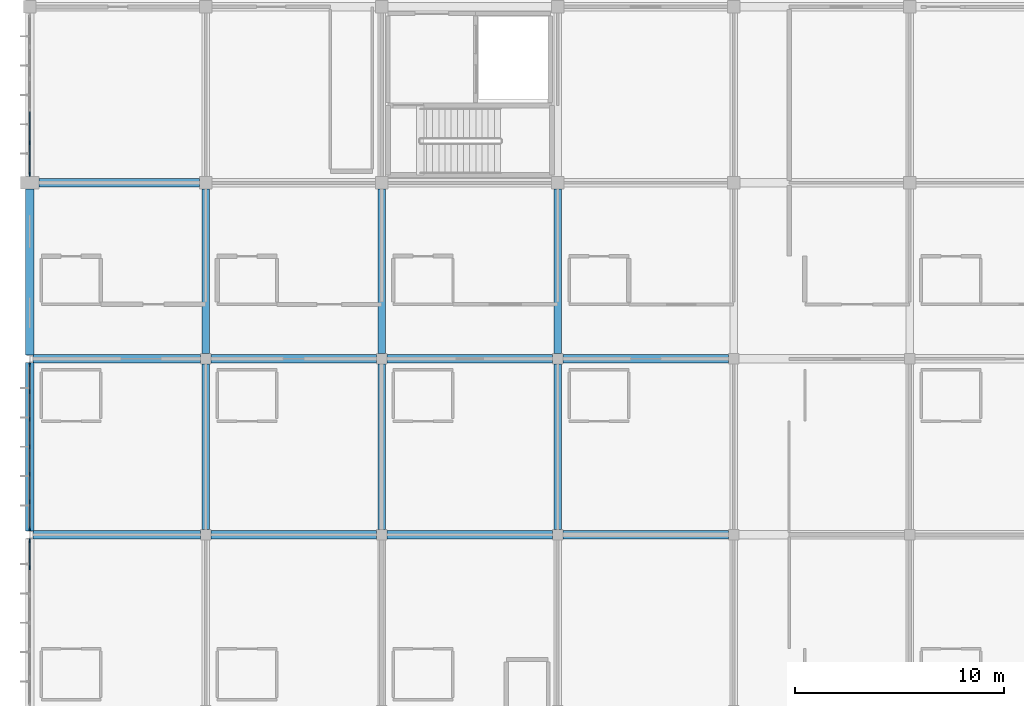
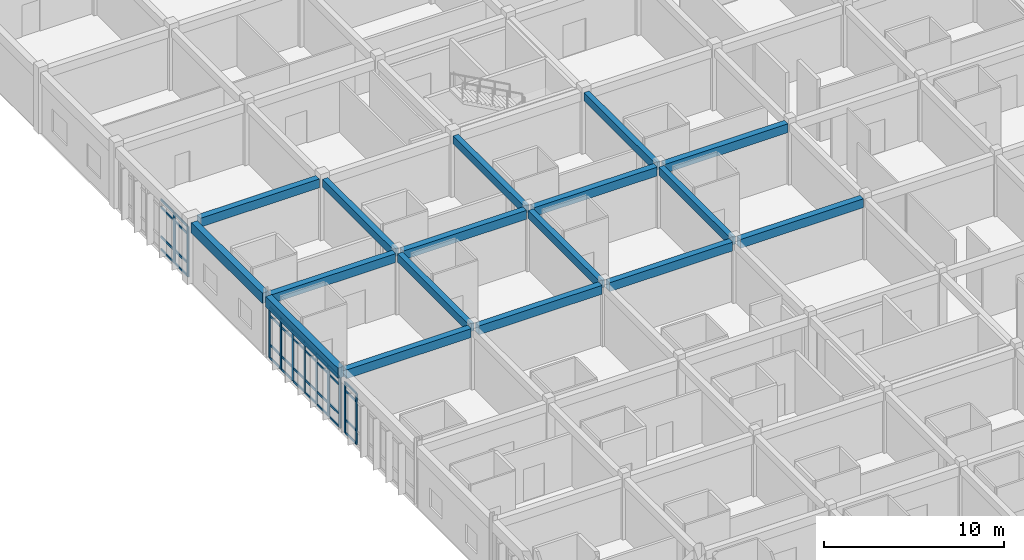
# One storey, part 18 of 144: 47 members, 17 beams, 3 elements without a shape of their own.
"""IFC4 building model written with IfcOpenShell, lengths in metres."""

from ifc_helpers import new_model, si_unit, direction, frame, origin, origin_2d, place, context, subcontext, project, spatial, rectangle, extrude, material, layer, layer_set, material_profile, profile_set, type_object, element, aggregate, save


model = new_model("IFC4")

# Units and contexts
model_context = context("Model", 3, precision=1e-05, world=origin(), true_north=direction((0.0, 1.0)))
body_context = subcontext(model_context, "Body", "Model", "MODEL_VIEW")
ifc_project = project(units=[si_unit("LENGTHUNIT", "METRE"), si_unit("AREAUNIT", "SQUARE_METRE"), si_unit("VOLUMEUNIT", "CUBIC_METRE"), si_unit("PLANEANGLEUNIT", "RADIAN"), si_unit("MASSUNIT", "GRAM", prefix="KILO")], contexts=[model_context])

# Site, building, storey
site_placement = place(None, origin())
site = spatial("IfcSite", under=ifc_project, at=site_placement, CompositionType="ELEMENT")
building_placement = place(site_placement, origin())
building = spatial("IfcBuilding", under=site, at=building_placement, Name="Bramfleet General Hospital", CompositionType="ELEMENT")
storey_placement = place(building_placement, frame((0.0, 0.0, 4.800048828125)))
storey = spatial("IfcBuildingStorey", under=building, at=storey_placement, Name="L01", CompositionType="ELEMENT", Elevation=4.800048828125)

# Beams
ifc_material_1 = material(Name="Concrete C35/45", Category="concrete")
ifc_material_profile_1 = material_profile(ifc_material_1, rectangle(XDim=0.35009765625, YDim=0.550048828125, at=origin_2d()), Name="RC BM 550x350")
ifc_profile_set_1 = profile_set([ifc_material_profile_1], Name="Concrete C35/45")
beam_type_1 = type_object("IfcBeamType", Name="BM-RC550", PredefinedType="BEAM", material=ifc_profile_set_1)
beam_1_placement = place(storey_placement, frame((8.39990234375, 33.85009765625, 3.875), z_axis=(0.0, 1.0, 0.0), x_axis=(-1.0, 0.0, 0.0)))
element("IfcBeam", 1, at=beam_1_placement, inside=storey, type_object=beam_type_1, Name="L01 Grid Beam Y 01-04", PredefinedType="BEAM", context=body_context, shape_type="SweptSolid", body=[
    extrude(rectangle(XDim=0.35009765625, YDim=0.550048828125, at=origin_2d()), origin(), (0.0, 0.0, 1.0), 7.89990234375),
])
beam_2_placement = place(storey_placement, frame((8.39990234375, 42.25, 3.875), z_axis=(0.0, 1.0, 0.0), x_axis=(-1.0, 0.0, 0.0)))
element("IfcBeam", 2, at=beam_2_placement, inside=storey, type_object=beam_type_1, Name="L01 Grid Beam Y 01-05", PredefinedType="BEAM", context=body_context, shape_type="SweptSolid", body=[
    extrude(rectangle(XDim=0.35009765625, YDim=0.550048828125, at=origin_2d()), origin(), (0.0, 0.0, 1.0), 7.85009765625),
])
beam_3_placement = place(storey_placement, frame((16.800048828125, 33.85009765625, 3.875), z_axis=(0.0, 1.0, 0.0), x_axis=(-1.0, 0.0, 0.0)))
element("IfcBeam", 3, at=beam_3_placement, inside=storey, type_object=beam_type_1, Name="L01 Grid Beam Y 02-04", PredefinedType="BEAM", context=body_context, shape_type="SweptSolid", body=[
    extrude(rectangle(XDim=0.35009765625, YDim=0.550048828125, at=origin_2d()), origin(), (0.0, 0.0, 1.0), 7.89990234375),
])
beam_4_placement = place(storey_placement, frame((16.800048828125, 42.25, 3.875), z_axis=(0.0, 1.0, 0.0), x_axis=(-1.0, 0.0, 0.0)))
element("IfcBeam", 4, at=beam_4_placement, inside=storey, type_object=beam_type_1, Name="L01 Grid Beam Y 02-05", PredefinedType="BEAM", context=body_context, shape_type="SweptSolid", body=[
    extrude(rectangle(XDim=0.35009765625, YDim=0.550048828125, at=origin_2d()), origin(), (0.0, 0.0, 1.0), 7.85009765625),
])
beam_5_placement = place(storey_placement, frame((25.199951171875, 33.85009765625, 3.875), z_axis=(0.0, 1.0, 0.0), x_axis=(-1.0, 0.0, 0.0)))
element("IfcBeam", 5, at=beam_5_placement, inside=storey, type_object=beam_type_1, Name="L01 Grid Beam Y 03-04", PredefinedType="BEAM", context=body_context, shape_type="SweptSolid", body=[
    extrude(rectangle(XDim=0.35009765625, YDim=0.550048828125, at=origin_2d()), origin(), (0.0, 0.0, 1.0), 7.89990234375),
])
beam_6_placement = place(storey_placement, frame((25.199951171875, 42.25, 3.875), z_axis=(0.0, 1.0, 0.0), x_axis=(-1.0, 0.0, 0.0)))
element("IfcBeam", 6, at=beam_6_placement, inside=storey, type_object=beam_type_1, Name="L01 Grid Beam Y 03-05", PredefinedType="BEAM", context=body_context, shape_type="SweptSolid", body=[
    extrude(rectangle(XDim=0.35009765625, YDim=0.550048828125, at=origin_2d()), origin(), (0.0, 0.0, 1.0), 7.85009765625),
])
ifc_material_profile_2 = material_profile(ifc_material_1, rectangle(XDim=0.39990234375, YDim=0.60009765625, at=origin_2d()), Name="RC BM 600x400")
ifc_profile_set_2 = profile_set([ifc_material_profile_2], Name="Concrete C35/45")
beam_type_2 = type_object("IfcBeamType", Name="BM-RC600", PredefinedType="BEAM", material=ifc_profile_set_2)
for number, where, z_axis, x_axis, name in (
    (7, (0.14990234375, 33.60009765625, 3.849853515625), (1.0, 0.0, 0.0), (0.0, 1.0, 0.0), "L01 Grid Beam X 00-04"),
    (8, (0.14990234375, 42.0, 3.849853515625), (1.0, 0.0, 0.0), (0.0, 1.0, 0.0), "L01 Grid Beam X 00-05"),
):
    element("IfcBeam", number, at=place(storey_placement, frame(where, z_axis=z_axis, x_axis=x_axis)), inside=storey, type_object=beam_type_2, Name=name, PredefinedType="BEAM", context=body_context, shape_type="SweptSolid", body=[
        extrude(rectangle(XDim=0.39990234375, YDim=0.60009765625, at=origin_2d()), origin(), (0.0, 0.0, 1.0), 8.0),
    ])
beam_7_placement = place(storey_placement, frame((0.449951171875, 50.39990234375, 3.849853515625), z_axis=(1.0, 0.0, 0.0), x_axis=(0.0, 1.0, 0.0)))
element("IfcBeam", 9, at=beam_7_placement, inside=storey, type_object=beam_type_2, Name="L01 Grid Beam X 00-06", PredefinedType="BEAM", context=body_context, shape_type="SweptSolid", body=[
    extrude(rectangle(XDim=0.39990234375, YDim=0.60009765625, at=origin_2d()), origin(), (0.0, 0.0, 1.0), 7.650146484375),
])
for number, where, z_axis, x_axis, name in (
    (10, (8.64990234375, 33.60009765625, 3.849853515625), (1.0, 0.0, 0.0), (0.0, 1.0, 0.0), "L01 Grid Beam X 01-04"),
    (11, (8.64990234375, 42.0, 3.849853515625), (1.0, 0.0, 0.0), (0.0, 1.0, 0.0), "L01 Grid Beam X 01-05"),
):
    element("IfcBeam", number, at=place(storey_placement, frame(where, z_axis=z_axis, x_axis=x_axis)), inside=storey, type_object=beam_type_2, Name=name, PredefinedType="BEAM", context=body_context, shape_type="SweptSolid", body=[
        extrude(rectangle(XDim=0.39990234375, YDim=0.60009765625, at=origin_2d()), origin(), (0.0, 0.0, 1.0), 7.900146484375),
    ])
for number, where, z_axis, x_axis, name in (
    (12, (17.050048828125, 33.60009765625, 3.849853515625), (1.0, 0.0, 0.0), (0.0, 1.0, 0.0), "L01 Grid Beam X 02-04"),
    (13, (17.050048828125, 42.0, 3.849853515625), (1.0, 0.0, 0.0), (0.0, 1.0, 0.0), "L01 Grid Beam X 02-05"),
):
    element("IfcBeam", number, at=place(storey_placement, frame(where, z_axis=z_axis, x_axis=x_axis)), inside=storey, type_object=beam_type_2, Name=name, PredefinedType="BEAM", context=body_context, shape_type="SweptSolid", body=[
        extrude(rectangle(XDim=0.39990234375, YDim=0.60009765625, at=origin_2d()), origin(), (0.0, 0.0, 1.0), 7.89990234375),
    ])
for number, where, z_axis, x_axis, name in (
    (14, (25.449951171875, 33.60009765625, 3.849853515625), (1.0, 0.0, 0.0), (0.0, 1.0, 0.0), "L01 Grid Beam X 03-04"),
    (15, (25.449951171875, 42.0, 3.849853515625), (1.0, 0.0, 0.0), (0.0, 1.0, 0.0), "L01 Grid Beam X 03-05"),
):
    element("IfcBeam", number, at=place(storey_placement, frame(where, z_axis=z_axis, x_axis=x_axis)), inside=storey, type_object=beam_type_2, Name=name, PredefinedType="BEAM", context=body_context, shape_type="SweptSolid", body=[
        extrude(rectangle(XDim=0.39990234375, YDim=0.60009765625, at=origin_2d()), origin(), (0.0, 0.0, 1.0), 7.900146484375),
    ])
ifc_material_profile_3 = material_profile(ifc_material_1, rectangle(XDim=0.39990234375, YDim=0.699951171875, at=origin_2d()), Name="RC SP 700x400")
ifc_profile_set_3 = profile_set([ifc_material_profile_3], Name="Concrete C35/45")
beam_type_3 = type_object("IfcBeamType", Name="BM-SP700", PredefinedType="SPANDREL", material=ifc_profile_set_3)
beam_8_placement = place(storey_placement, frame((0.0, 33.780029296875, 3.800048828125), z_axis=(0.0, 1.0, 0.0), x_axis=(-1.0, 0.0, 0.0)))
element("IfcBeam", 16, at=beam_8_placement, inside=storey, type_object=beam_type_3, Name="L01 Grid Beam Y 00-04", PredefinedType="SPANDREL", context=body_context, shape_type="SweptSolid", body=[
    extrude(rectangle(XDim=0.39990234375, YDim=0.699951171875, at=origin_2d()), origin(), (0.0, 0.0, 1.0), 8.0400390625),
])
beam_9_placement = place(storey_placement, frame((0.0, 42.179931640625, 3.800048828125), z_axis=(0.0, 1.0, 0.0), x_axis=(-1.0, 0.0, 0.0)))
element("IfcBeam", 17, at=beam_9_placement, inside=storey, type_object=beam_type_3, Name="L01 Grid Beam Y 00-05", PredefinedType="SPANDREL", context=body_context, shape_type="SweptSolid", body=[
    extrude(rectangle(XDim=0.39990234375, YDim=0.699951171875, at=origin_2d()), origin(), (0.0, 0.0, 1.0), 7.920166015625),
])

# Curtain wall, members
ifc_material_2 = material(Name="Anodised aluminium and low-E triple glazing", Category="aluminium")
ifc_layer_1 = layer(ifc_material_2, 0.179931640625, Name="CWT-CW-01")
ifc_layer_set_1 = layer_set([ifc_layer_1], Name="Anodised aluminium and low-E triple glazing")
curtain_wall_type_1 = type_object("IfcCurtainWallType", Name="CWT-CW-01", PredefinedType="USERDEFINED", material=ifc_layer_set_1)
curtain_wall_1_placement = place(storey_placement, origin())
curtain_wall_1 = element("IfcCurtainWall", 18, at=curtain_wall_1_placement, inside=storey, type_object=curtain_wall_type_1, Name="L01 Curtain Wall 91", ObjectType="Unitised curtain wall", PredefinedType="USERDEFINED")
ifc_material_3 = material(Name="Structural timber GL28h", Category="wood")
ifc_material_profile_4 = material_profile(ifc_material_3, rectangle(XDim=0.070068359375, YDim=0.18994140625, at=origin_2d()), Name="LARCH 190x70")
ifc_profile_set_4 = profile_set([ifc_material_profile_4], Name="Structural timber GL28h")
member_type_1 = type_object("IfcMemberType", Name="CWM-LARCH450", PredefinedType="MULLION", material=ifc_profile_set_4)
member_1_placement = place(storey_placement, frame((0.0, 32.030029296875, 0.0), z_axis=(0.0, 0.0, 1.0), x_axis=(-1.0, 0.0, 0.0)))
member_1 = element("IfcMember", 19, at=member_1_placement, type_object=member_type_1, Name="CW-01 mullion 6", PredefinedType="MULLION", context=body_context, shape_type="SweptSolid", body=[
    extrude(rectangle(XDim=0.070068359375, YDim=0.18994140625, at=origin_2d()), origin(), (0.0, 0.0, 1.0), 3.43994140625),
])
member_2_placement = place(storey_placement, frame((0.0, 33.31005859375, 0.0), z_axis=(0.0, 0.0, 1.0), x_axis=(-1.0, 0.0, 0.0)))
member_2 = element("IfcMember", 20, at=member_2_placement, type_object=member_type_1, Name="CW-01 mullion 7", PredefinedType="MULLION", context=body_context, shape_type="SweptSolid", body=[
    extrude(rectangle(XDim=0.070068359375, YDim=0.18994140625, at=origin_2d()), origin(), (0.0, 0.0, 1.0), 3.43994140625),
])

ifc_layer_2 = layer(ifc_material_2, 0.179931640625, Name="CWT-CW-02")
ifc_layer_set_2 = layer_set([ifc_layer_2], Name="Anodised aluminium and low-E triple glazing")
curtain_wall_type_2 = type_object("IfcCurtainWallType", Name="CWT-CW-02", PredefinedType="USERDEFINED", material=ifc_layer_set_2)
curtain_wall_2_placement = place(storey_placement, origin())
curtain_wall_2 = element("IfcCurtainWall", 21, at=curtain_wall_2_placement, inside=storey, type_object=curtain_wall_type_2, Name="L01 Curtain Wall 92", ObjectType="Unitised curtain wall", PredefinedType="USERDEFINED")
member_3_placement = place(storey_placement, frame((0.0, 33.889892578125, 0.0), z_axis=(0.0, 0.0, 1.0), x_axis=(-1.0, 0.0, 0.0)))
member_3 = element("IfcMember", 22, at=member_3_placement, type_object=member_type_1, Name="CW-02 mullion 1", PredefinedType="MULLION", context=body_context, shape_type="SweptSolid", body=[
    extrude(rectangle(XDim=0.070068359375, YDim=0.18994140625, at=origin_2d()), origin(), (0.0, 0.0, 1.0), 3.43994140625),
])
member_4_placement = place(storey_placement, frame((0.0, 35.169921875, 0.0), z_axis=(0.0, 0.0, 1.0), x_axis=(-1.0, 0.0, 0.0)))
member_4 = element("IfcMember", 23, at=member_4_placement, type_object=member_type_1, Name="CW-02 mullion 2", PredefinedType="MULLION", context=body_context, shape_type="SweptSolid", body=[
    extrude(rectangle(XDim=0.070068359375, YDim=0.18994140625, at=origin_2d()), origin(), (0.0, 0.0, 1.0), 3.43994140625),
])
member_5_placement = place(storey_placement, frame((0.0, 36.485107421875, 0.0), z_axis=(0.0, 0.0, 1.0), x_axis=(-1.0, 0.0, 0.0)))
member_5 = element("IfcMember", 24, at=member_5_placement, type_object=member_type_1, Name="CW-02 mullion 3", PredefinedType="MULLION", context=body_context, shape_type="SweptSolid", body=[
    extrude(rectangle(XDim=0.070068359375, YDim=0.18994140625, at=origin_2d()), origin(), (0.0, 0.0, 1.0), 3.43994140625),
])
member_6_placement = place(storey_placement, frame((0.0, 37.800048828125, 0.0), z_axis=(0.0, 0.0, 1.0), x_axis=(-1.0, 0.0, 0.0)))
member_6 = element("IfcMember", 25, at=member_6_placement, type_object=member_type_1, Name="CW-02 mullion 4", PredefinedType="MULLION", context=body_context, shape_type="SweptSolid", body=[
    extrude(rectangle(XDim=0.070068359375, YDim=0.18994140625, at=origin_2d()), origin(), (0.0, 0.0, 1.0), 3.43994140625),
])
member_7_placement = place(storey_placement, frame((0.0, 39.114990234375, 0.0), z_axis=(0.0, 0.0, 1.0), x_axis=(-1.0, 0.0, 0.0)))
member_7 = element("IfcMember", 26, at=member_7_placement, type_object=member_type_1, Name="CW-02 mullion 5", PredefinedType="MULLION", context=body_context, shape_type="SweptSolid", body=[
    extrude(rectangle(XDim=0.070068359375, YDim=0.18994140625, at=origin_2d()), origin(), (0.0, 0.0, 1.0), 3.43994140625),
])
member_8_placement = place(storey_placement, frame((0.0, 40.429931640625, 0.0), z_axis=(0.0, 0.0, 1.0), x_axis=(-1.0, 0.0, 0.0)))
member_8 = element("IfcMember", 27, at=member_8_placement, type_object=member_type_1, Name="CW-02 mullion 6", PredefinedType="MULLION", context=body_context, shape_type="SweptSolid", body=[
    extrude(rectangle(XDim=0.070068359375, YDim=0.18994140625, at=origin_2d()), origin(), (0.0, 0.0, 1.0), 3.43994140625),
])
member_9_placement = place(storey_placement, frame((0.0, 41.7099609375, 0.0), z_axis=(0.0, 0.0, 1.0), x_axis=(-1.0, 0.0, 0.0)))
member_9 = element("IfcMember", 28, at=member_9_placement, type_object=member_type_1, Name="CW-02 mullion 7", PredefinedType="MULLION", context=body_context, shape_type="SweptSolid", body=[
    extrude(rectangle(XDim=0.070068359375, YDim=0.18994140625, at=origin_2d()), origin(), (0.0, 0.0, 1.0), 3.43994140625),
])

ifc_layer_3 = layer(ifc_material_2, 0.179931640625, Name="CWT-CW-03")
ifc_layer_set_3 = layer_set([ifc_layer_3], Name="Anodised aluminium and low-E triple glazing")
curtain_wall_type_3 = type_object("IfcCurtainWallType", Name="CWT-CW-03", PredefinedType="USERDEFINED", material=ifc_layer_set_3)
curtain_wall_3_placement = place(storey_placement, origin())
curtain_wall_3 = element("IfcCurtainWall", 29, at=curtain_wall_3_placement, inside=storey, type_object=curtain_wall_type_3, Name="L01 Curtain Wall 93", ObjectType="Unitised curtain wall", PredefinedType="USERDEFINED")
member_10_placement = place(storey_placement, frame((0.0, 50.81005859375, 0.0), z_axis=(0.0, 0.0, 1.0), x_axis=(-1.0, 0.0, 0.0)))
member_10 = element("IfcMember", 30, at=member_10_placement, type_object=member_type_1, Name="CW-03 mullion 1", PredefinedType="MULLION", context=body_context, shape_type="SweptSolid", body=[
    extrude(rectangle(XDim=0.070068359375, YDim=0.18994140625, at=origin_2d()), origin(), (0.0, 0.0, 1.0), 3.43994140625),
])
member_11_placement = place(storey_placement, frame((0.0, 52.304931640625, 0.0), z_axis=(0.0, 0.0, 1.0), x_axis=(-1.0, 0.0, 0.0)))
member_11 = element("IfcMember", 31, at=member_11_placement, type_object=member_type_1, Name="CW-03 mullion 2", PredefinedType="MULLION", context=body_context, shape_type="SweptSolid", body=[
    extrude(rectangle(XDim=0.070068359375, YDim=0.18994140625, at=origin_2d()), origin(), (0.0, 0.0, 1.0), 3.43994140625),
])

# Member
ifc_material_profile_5 = material_profile(ifc_material_3, rectangle(XDim=0.06494140625, YDim=0.14990234375, at=origin_2d()), Name="LARCH 150x65")
ifc_profile_set_5 = profile_set([ifc_material_profile_5], Name="Structural timber GL28h")
member_type_2 = type_object("IfcMemberType", Name="CWT-LARCH220", PredefinedType="USERDEFINED", material=ifc_profile_set_5)
member_12_placement = place(storey_placement, frame((0.0, 32.06494140625, 0.032470703125), z_axis=(0.0, 1.0, 0.0), x_axis=(-1.0, 0.0, 0.0)))
member_12 = element("IfcMember", 32, at=member_12_placement, type_object=member_type_2, Name="CW-01 transom 6.1", ObjectType="TRANSOM", PredefinedType="USERDEFINED", context=body_context, shape_type="SweptSolid", body=[
    extrude(rectangle(XDim=0.06494140625, YDim=0.14990234375, at=origin_2d()), origin(), (0.0, 0.0, 1.0), 1.2099609375),
])

member_13_placement = place(storey_placement, frame((0.0, 32.06494140625, 0.89990234375), z_axis=(0.0, 1.0, 0.0), x_axis=(-1.0, 0.0, 0.0)))
member_13 = element("IfcMember", 33, at=member_13_placement, type_object=member_type_2, Name="CW-01 transom 6.2", ObjectType="TRANSOM", PredefinedType="USERDEFINED", context=body_context, shape_type="SweptSolid", body=[
    extrude(rectangle(XDim=0.06494140625, YDim=0.14990234375, at=origin_2d()), origin(), (0.0, 0.0, 1.0), 1.2099609375),
])

member_14_placement = place(storey_placement, frame((0.0, 32.06494140625, 2.889892578125), z_axis=(0.0, 1.0, 0.0), x_axis=(-1.0, 0.0, 0.0)))
member_14 = element("IfcMember", 34, at=member_14_placement, type_object=member_type_2, Name="CW-01 transom 6.3", ObjectType="TRANSOM", PredefinedType="USERDEFINED", context=body_context, shape_type="SweptSolid", body=[
    extrude(rectangle(XDim=0.06494140625, YDim=0.14990234375, at=origin_2d()), origin(), (0.0, 0.0, 1.0), 1.2099609375),
])

member_15_placement = place(storey_placement, frame((0.0, 32.06494140625, 3.407470703125), z_axis=(0.0, 1.0, 0.0), x_axis=(-1.0, 0.0, 0.0)))
member_15 = element("IfcMember", 35, at=member_15_placement, type_object=member_type_2, Name="CW-01 transom 6.4", ObjectType="TRANSOM", PredefinedType="USERDEFINED", context=body_context, shape_type="SweptSolid", body=[
    extrude(rectangle(XDim=0.06494140625, YDim=0.14990234375, at=origin_2d()), origin(), (0.0, 0.0, 1.0), 1.2099609375),
])

aggregate(curtain_wall_1, [member_1, member_2, member_12, member_13, member_14, member_15])

member_16_placement = place(storey_placement, frame((0.0, 33.925048828125, 0.032470703125), z_axis=(0.0, 1.0, 0.0), x_axis=(-1.0, 0.0, 0.0)))
member_16 = element("IfcMember", 36, at=member_16_placement, type_object=member_type_2, Name="CW-02 transom 1.1", ObjectType="TRANSOM", PredefinedType="USERDEFINED", context=body_context, shape_type="SweptSolid", body=[
    extrude(rectangle(XDim=0.06494140625, YDim=0.14990234375, at=origin_2d()), origin(), (0.0, 0.0, 1.0), 1.2099609375),
])

member_17_placement = place(storey_placement, frame((0.0, 33.925048828125, 0.89990234375), z_axis=(0.0, 1.0, 0.0), x_axis=(-1.0, 0.0, 0.0)))
member_17 = element("IfcMember", 37, at=member_17_placement, type_object=member_type_2, Name="CW-02 transom 1.2", ObjectType="TRANSOM", PredefinedType="USERDEFINED", context=body_context, shape_type="SweptSolid", body=[
    extrude(rectangle(XDim=0.06494140625, YDim=0.14990234375, at=origin_2d()), origin(), (0.0, 0.0, 1.0), 1.2099609375),
])

member_18_placement = place(storey_placement, frame((0.0, 33.925048828125, 2.889892578125), z_axis=(0.0, 1.0, 0.0), x_axis=(-1.0, 0.0, 0.0)))
member_18 = element("IfcMember", 38, at=member_18_placement, type_object=member_type_2, Name="CW-02 transom 1.3", ObjectType="TRANSOM", PredefinedType="USERDEFINED", context=body_context, shape_type="SweptSolid", body=[
    extrude(rectangle(XDim=0.06494140625, YDim=0.14990234375, at=origin_2d()), origin(), (0.0, 0.0, 1.0), 1.2099609375),
])

member_19_placement = place(storey_placement, frame((0.0, 33.925048828125, 3.407470703125), z_axis=(0.0, 1.0, 0.0), x_axis=(-1.0, 0.0, 0.0)))
member_19 = element("IfcMember", 39, at=member_19_placement, type_object=member_type_2, Name="CW-02 transom 1.4", ObjectType="TRANSOM", PredefinedType="USERDEFINED", context=body_context, shape_type="SweptSolid", body=[
    extrude(rectangle(XDim=0.06494140625, YDim=0.14990234375, at=origin_2d()), origin(), (0.0, 0.0, 1.0), 1.2099609375),
])

member_20_placement = place(storey_placement, frame((0.0, 35.205078125, 0.032470703125), z_axis=(0.0, 1.0, 0.0), x_axis=(-1.0, 0.0, 0.0)))
member_20 = element("IfcMember", 40, at=member_20_placement, type_object=member_type_2, Name="CW-02 transom 2.1", ObjectType="TRANSOM", PredefinedType="USERDEFINED", context=body_context, shape_type="SweptSolid", body=[
    extrude(rectangle(XDim=0.06494140625, YDim=0.14990234375, at=origin_2d()), origin(), (0.0, 0.0, 1.0), 1.244873046875),
])

member_21_placement = place(storey_placement, frame((0.0, 35.205078125, 0.89990234375), z_axis=(0.0, 1.0, 0.0), x_axis=(-1.0, 0.0, 0.0)))
member_21 = element("IfcMember", 41, at=member_21_placement, type_object=member_type_2, Name="CW-02 transom 2.2", ObjectType="TRANSOM", PredefinedType="USERDEFINED", context=body_context, shape_type="SweptSolid", body=[
    extrude(rectangle(XDim=0.06494140625, YDim=0.14990234375, at=origin_2d()), origin(), (0.0, 0.0, 1.0), 1.244873046875),
])

member_22_placement = place(storey_placement, frame((0.0, 35.205078125, 2.889892578125), z_axis=(0.0, 1.0, 0.0), x_axis=(-1.0, 0.0, 0.0)))
member_22 = element("IfcMember", 42, at=member_22_placement, type_object=member_type_2, Name="CW-02 transom 2.3", ObjectType="TRANSOM", PredefinedType="USERDEFINED", context=body_context, shape_type="SweptSolid", body=[
    extrude(rectangle(XDim=0.06494140625, YDim=0.14990234375, at=origin_2d()), origin(), (0.0, 0.0, 1.0), 1.244873046875),
])

member_23_placement = place(storey_placement, frame((0.0, 35.205078125, 3.407470703125), z_axis=(0.0, 1.0, 0.0), x_axis=(-1.0, 0.0, 0.0)))
member_23 = element("IfcMember", 43, at=member_23_placement, type_object=member_type_2, Name="CW-02 transom 2.4", ObjectType="TRANSOM", PredefinedType="USERDEFINED", context=body_context, shape_type="SweptSolid", body=[
    extrude(rectangle(XDim=0.06494140625, YDim=0.14990234375, at=origin_2d()), origin(), (0.0, 0.0, 1.0), 1.244873046875),
])

member_24_placement = place(storey_placement, frame((0.0, 36.52001953125, 0.032470703125), z_axis=(0.0, 1.0, 0.0), x_axis=(-1.0, 0.0, 0.0)))
member_24 = element("IfcMember", 44, at=member_24_placement, type_object=member_type_2, Name="CW-02 transom 3.1", ObjectType="TRANSOM", PredefinedType="USERDEFINED", context=body_context, shape_type="SweptSolid", body=[
    extrude(rectangle(XDim=0.06494140625, YDim=0.14990234375, at=origin_2d()), origin(), (0.0, 0.0, 1.0), 1.244873046875),
])

member_25_placement = place(storey_placement, frame((0.0, 36.52001953125, 0.89990234375), z_axis=(0.0, 1.0, 0.0), x_axis=(-1.0, 0.0, 0.0)))
member_25 = element("IfcMember", 45, at=member_25_placement, type_object=member_type_2, Name="CW-02 transom 3.2", ObjectType="TRANSOM", PredefinedType="USERDEFINED", context=body_context, shape_type="SweptSolid", body=[
    extrude(rectangle(XDim=0.06494140625, YDim=0.14990234375, at=origin_2d()), origin(), (0.0, 0.0, 1.0), 1.244873046875),
])

member_26_placement = place(storey_placement, frame((0.0, 36.52001953125, 2.889892578125), z_axis=(0.0, 1.0, 0.0), x_axis=(-1.0, 0.0, 0.0)))
member_26 = element("IfcMember", 46, at=member_26_placement, type_object=member_type_2, Name="CW-02 transom 3.3", ObjectType="TRANSOM", PredefinedType="USERDEFINED", context=body_context, shape_type="SweptSolid", body=[
    extrude(rectangle(XDim=0.06494140625, YDim=0.14990234375, at=origin_2d()), origin(), (0.0, 0.0, 1.0), 1.244873046875),
])

member_27_placement = place(storey_placement, frame((0.0, 36.52001953125, 3.407470703125), z_axis=(0.0, 1.0, 0.0), x_axis=(-1.0, 0.0, 0.0)))
member_27 = element("IfcMember", 47, at=member_27_placement, type_object=member_type_2, Name="CW-02 transom 3.4", ObjectType="TRANSOM", PredefinedType="USERDEFINED", context=body_context, shape_type="SweptSolid", body=[
    extrude(rectangle(XDim=0.06494140625, YDim=0.14990234375, at=origin_2d()), origin(), (0.0, 0.0, 1.0), 1.244873046875),
])

member_28_placement = place(storey_placement, frame((0.0, 37.8349609375, 0.032470703125), z_axis=(0.0, 1.0, 0.0), x_axis=(-1.0, 0.0, 0.0)))
member_28 = element("IfcMember", 48, at=member_28_placement, type_object=member_type_2, Name="CW-02 transom 4.1", ObjectType="TRANSOM", PredefinedType="USERDEFINED", context=body_context, shape_type="SweptSolid", body=[
    extrude(rectangle(XDim=0.06494140625, YDim=0.14990234375, at=origin_2d()), origin(), (0.0, 0.0, 1.0), 1.2451171875),
])

member_29_placement = place(storey_placement, frame((0.0, 37.8349609375, 0.89990234375), z_axis=(0.0, 1.0, 0.0), x_axis=(-1.0, 0.0, 0.0)))
member_29 = element("IfcMember", 49, at=member_29_placement, type_object=member_type_2, Name="CW-02 transom 4.2", ObjectType="TRANSOM", PredefinedType="USERDEFINED", context=body_context, shape_type="SweptSolid", body=[
    extrude(rectangle(XDim=0.06494140625, YDim=0.14990234375, at=origin_2d()), origin(), (0.0, 0.0, 1.0), 1.2451171875),
])

member_30_placement = place(storey_placement, frame((0.0, 37.8349609375, 2.889892578125), z_axis=(0.0, 1.0, 0.0), x_axis=(-1.0, 0.0, 0.0)))
member_30 = element("IfcMember", 50, at=member_30_placement, type_object=member_type_2, Name="CW-02 transom 4.3", ObjectType="TRANSOM", PredefinedType="USERDEFINED", context=body_context, shape_type="SweptSolid", body=[
    extrude(rectangle(XDim=0.06494140625, YDim=0.14990234375, at=origin_2d()), origin(), (0.0, 0.0, 1.0), 1.2451171875),
])

member_31_placement = place(storey_placement, frame((0.0, 37.8349609375, 3.407470703125), z_axis=(0.0, 1.0, 0.0), x_axis=(-1.0, 0.0, 0.0)))
member_31 = element("IfcMember", 51, at=member_31_placement, type_object=member_type_2, Name="CW-02 transom 4.4", ObjectType="TRANSOM", PredefinedType="USERDEFINED", context=body_context, shape_type="SweptSolid", body=[
    extrude(rectangle(XDim=0.06494140625, YDim=0.14990234375, at=origin_2d()), origin(), (0.0, 0.0, 1.0), 1.2451171875),
])

member_32_placement = place(storey_placement, frame((0.0, 39.14990234375, 0.032470703125), z_axis=(0.0, 1.0, 0.0), x_axis=(-1.0, 0.0, 0.0)))
member_32 = element("IfcMember", 52, at=member_32_placement, type_object=member_type_2, Name="CW-02 transom 5.1", ObjectType="TRANSOM", PredefinedType="USERDEFINED", context=body_context, shape_type="SweptSolid", body=[
    extrude(rectangle(XDim=0.06494140625, YDim=0.14990234375, at=origin_2d()), origin(), (0.0, 0.0, 1.0), 1.2451171875),
])

member_33_placement = place(storey_placement, frame((0.0, 39.14990234375, 0.89990234375), z_axis=(0.0, 1.0, 0.0), x_axis=(-1.0, 0.0, 0.0)))
member_33 = element("IfcMember", 53, at=member_33_placement, type_object=member_type_2, Name="CW-02 transom 5.2", ObjectType="TRANSOM", PredefinedType="USERDEFINED", context=body_context, shape_type="SweptSolid", body=[
    extrude(rectangle(XDim=0.06494140625, YDim=0.14990234375, at=origin_2d()), origin(), (0.0, 0.0, 1.0), 1.2451171875),
])

member_34_placement = place(storey_placement, frame((0.0, 39.14990234375, 2.889892578125), z_axis=(0.0, 1.0, 0.0), x_axis=(-1.0, 0.0, 0.0)))
member_34 = element("IfcMember", 54, at=member_34_placement, type_object=member_type_2, Name="CW-02 transom 5.3", ObjectType="TRANSOM", PredefinedType="USERDEFINED", context=body_context, shape_type="SweptSolid", body=[
    extrude(rectangle(XDim=0.06494140625, YDim=0.14990234375, at=origin_2d()), origin(), (0.0, 0.0, 1.0), 1.2451171875),
])

member_35_placement = place(storey_placement, frame((0.0, 39.14990234375, 3.407470703125), z_axis=(0.0, 1.0, 0.0), x_axis=(-1.0, 0.0, 0.0)))
member_35 = element("IfcMember", 55, at=member_35_placement, type_object=member_type_2, Name="CW-02 transom 5.4", ObjectType="TRANSOM", PredefinedType="USERDEFINED", context=body_context, shape_type="SweptSolid", body=[
    extrude(rectangle(XDim=0.06494140625, YDim=0.14990234375, at=origin_2d()), origin(), (0.0, 0.0, 1.0), 1.2451171875),
])

member_36_placement = place(storey_placement, frame((0.0, 40.465087890625, 0.032470703125), z_axis=(0.0, 1.0, 0.0), x_axis=(-1.0, 0.0, 0.0)))
member_36 = element("IfcMember", 56, at=member_36_placement, type_object=member_type_2, Name="CW-02 transom 6.1", ObjectType="TRANSOM", PredefinedType="USERDEFINED", context=body_context, shape_type="SweptSolid", body=[
    extrude(rectangle(XDim=0.06494140625, YDim=0.14990234375, at=origin_2d()), origin(), (0.0, 0.0, 1.0), 1.2099609375),
])

member_37_placement = place(storey_placement, frame((0.0, 40.465087890625, 0.89990234375), z_axis=(0.0, 1.0, 0.0), x_axis=(-1.0, 0.0, 0.0)))
member_37 = element("IfcMember", 57, at=member_37_placement, type_object=member_type_2, Name="CW-02 transom 6.2", ObjectType="TRANSOM", PredefinedType="USERDEFINED", context=body_context, shape_type="SweptSolid", body=[
    extrude(rectangle(XDim=0.06494140625, YDim=0.14990234375, at=origin_2d()), origin(), (0.0, 0.0, 1.0), 1.2099609375),
])

member_38_placement = place(storey_placement, frame((0.0, 40.465087890625, 2.889892578125), z_axis=(0.0, 1.0, 0.0), x_axis=(-1.0, 0.0, 0.0)))
member_38 = element("IfcMember", 58, at=member_38_placement, type_object=member_type_2, Name="CW-02 transom 6.3", ObjectType="TRANSOM", PredefinedType="USERDEFINED", context=body_context, shape_type="SweptSolid", body=[
    extrude(rectangle(XDim=0.06494140625, YDim=0.14990234375, at=origin_2d()), origin(), (0.0, 0.0, 1.0), 1.2099609375),
])

member_39_placement = place(storey_placement, frame((0.0, 40.465087890625, 3.407470703125), z_axis=(0.0, 1.0, 0.0), x_axis=(-1.0, 0.0, 0.0)))
member_39 = element("IfcMember", 59, at=member_39_placement, type_object=member_type_2, Name="CW-02 transom 6.4", ObjectType="TRANSOM", PredefinedType="USERDEFINED", context=body_context, shape_type="SweptSolid", body=[
    extrude(rectangle(XDim=0.06494140625, YDim=0.14990234375, at=origin_2d()), origin(), (0.0, 0.0, 1.0), 1.2099609375),
])

aggregate(curtain_wall_2, [member_3, member_4, member_5, member_6, member_7, member_8, member_9, member_16, member_17, member_18, member_19, member_20, member_21, member_22, member_23, member_24, member_25, member_26, member_27, member_28, member_29, member_30, member_31, member_32, member_33, member_34, member_35, member_36, member_37, member_38, member_39])

member_40_placement = place(storey_placement, frame((0.0, 50.844970703125, 0.032470703125), z_axis=(0.0, 1.0, 0.0), x_axis=(-1.0, 0.0, 0.0)))
member_40 = element("IfcMember", 60, at=member_40_placement, type_object=member_type_2, Name="CW-03 transom 1.1", ObjectType="TRANSOM", PredefinedType="USERDEFINED", context=body_context, shape_type="SweptSolid", body=[
    extrude(rectangle(XDim=0.06494140625, YDim=0.14990234375, at=origin_2d()), origin(), (0.0, 0.0, 1.0), 1.425048828125),
])

member_41_placement = place(storey_placement, frame((0.0, 50.844970703125, 0.89990234375), z_axis=(0.0, 1.0, 0.0), x_axis=(-1.0, 0.0, 0.0)))
member_41 = element("IfcMember", 61, at=member_41_placement, type_object=member_type_2, Name="CW-03 transom 1.2", ObjectType="TRANSOM", PredefinedType="USERDEFINED", context=body_context, shape_type="SweptSolid", body=[
    extrude(rectangle(XDim=0.06494140625, YDim=0.14990234375, at=origin_2d()), origin(), (0.0, 0.0, 1.0), 1.425048828125),
])

member_42_placement = place(storey_placement, frame((0.0, 50.844970703125, 2.889892578125), z_axis=(0.0, 1.0, 0.0), x_axis=(-1.0, 0.0, 0.0)))
member_42 = element("IfcMember", 62, at=member_42_placement, type_object=member_type_2, Name="CW-03 transom 1.3", ObjectType="TRANSOM", PredefinedType="USERDEFINED", context=body_context, shape_type="SweptSolid", body=[
    extrude(rectangle(XDim=0.06494140625, YDim=0.14990234375, at=origin_2d()), origin(), (0.0, 0.0, 1.0), 1.425048828125),
])

member_43_placement = place(storey_placement, frame((0.0, 50.844970703125, 3.407470703125), z_axis=(0.0, 1.0, 0.0), x_axis=(-1.0, 0.0, 0.0)))
member_43 = element("IfcMember", 63, at=member_43_placement, type_object=member_type_2, Name="CW-03 transom 1.4", ObjectType="TRANSOM", PredefinedType="USERDEFINED", context=body_context, shape_type="SweptSolid", body=[
    extrude(rectangle(XDim=0.06494140625, YDim=0.14990234375, at=origin_2d()), origin(), (0.0, 0.0, 1.0), 1.425048828125),
])

member_44_placement = place(storey_placement, frame((0.0, 52.340087890625, 0.032470703125), z_axis=(0.0, 1.0, 0.0), x_axis=(-1.0, 0.0, 0.0)))
member_44 = element("IfcMember", 64, at=member_44_placement, type_object=member_type_2, Name="CW-03 transom 2.1", ObjectType="TRANSOM", PredefinedType="USERDEFINED", context=body_context, shape_type="SweptSolid", body=[
    extrude(rectangle(XDim=0.06494140625, YDim=0.14990234375, at=origin_2d()), origin(), (0.0, 0.0, 1.0), 1.4599609375),
])

member_45_placement = place(storey_placement, frame((0.0, 52.340087890625, 0.89990234375), z_axis=(0.0, 1.0, 0.0), x_axis=(-1.0, 0.0, 0.0)))
member_45 = element("IfcMember", 65, at=member_45_placement, type_object=member_type_2, Name="CW-03 transom 2.2", ObjectType="TRANSOM", PredefinedType="USERDEFINED", context=body_context, shape_type="SweptSolid", body=[
    extrude(rectangle(XDim=0.06494140625, YDim=0.14990234375, at=origin_2d()), origin(), (0.0, 0.0, 1.0), 1.4599609375),
])

member_46_placement = place(storey_placement, frame((0.0, 52.340087890625, 2.889892578125), z_axis=(0.0, 1.0, 0.0), x_axis=(-1.0, 0.0, 0.0)))
member_46 = element("IfcMember", 66, at=member_46_placement, type_object=member_type_2, Name="CW-03 transom 2.3", ObjectType="TRANSOM", PredefinedType="USERDEFINED", context=body_context, shape_type="SweptSolid", body=[
    extrude(rectangle(XDim=0.06494140625, YDim=0.14990234375, at=origin_2d()), origin(), (0.0, 0.0, 1.0), 1.4599609375),
])

member_47_placement = place(storey_placement, frame((0.0, 52.340087890625, 3.407470703125), z_axis=(0.0, 1.0, 0.0), x_axis=(-1.0, 0.0, 0.0)))
member_47 = element("IfcMember", 67, at=member_47_placement, type_object=member_type_2, Name="CW-03 transom 2.4", ObjectType="TRANSOM", PredefinedType="USERDEFINED", context=body_context, shape_type="SweptSolid", body=[
    extrude(rectangle(XDim=0.06494140625, YDim=0.14990234375, at=origin_2d()), origin(), (0.0, 0.0, 1.0), 1.4599609375),
])

aggregate(curtain_wall_3, [member_10, member_11, member_40, member_41, member_42, member_43, member_44, member_45, member_46, member_47])

save(model, "model.ifc")
